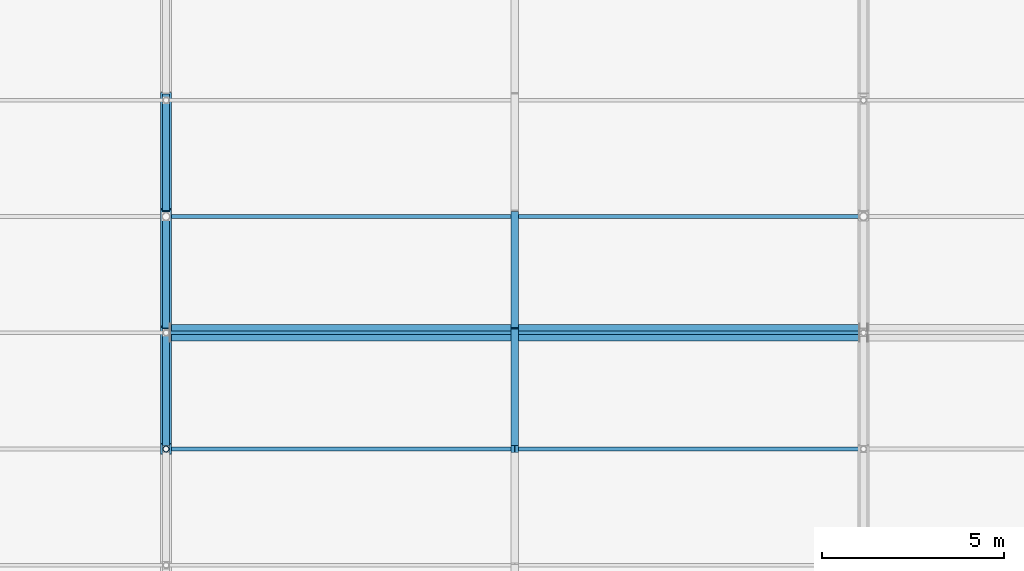
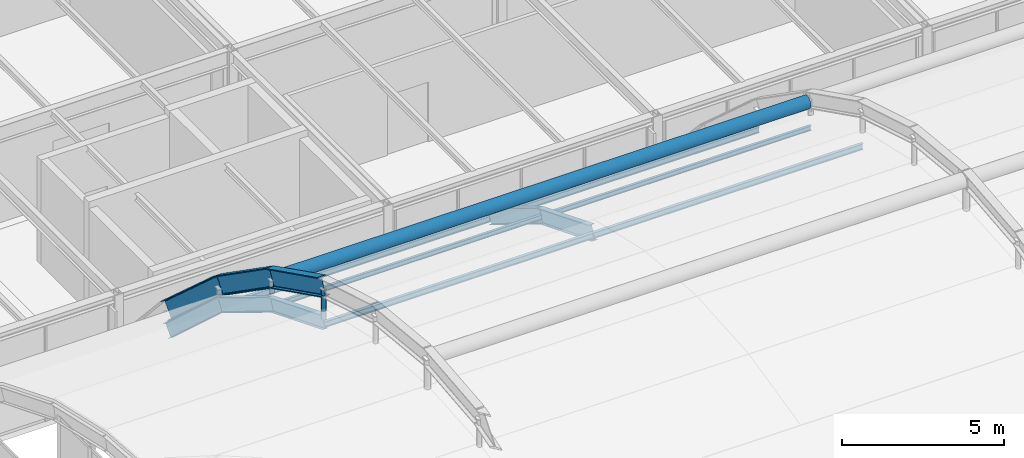
# One storey, part 68 of 126: 8 beams, 8 members.
"""IFC4 building model written with IfcOpenShell, lengths in metres."""

from ifc_helpers import new_model, si_unit, direction, frame, origin, origin_2d, place, context, subcontext, project, spatial, hollow_circle, i_section, extrude, material, material_profile, profile_set, type_object, element, save


model = new_model("IFC4")

# Units and contexts
model_context = context("Model", 3, precision=1e-05, world=origin(), true_north=direction((0.0, 1.0)))
body_context = subcontext(model_context, "Body", "Model", "MODEL_VIEW")
ifc_project = project(units=[si_unit("LENGTHUNIT", "METRE"), si_unit("AREAUNIT", "SQUARE_METRE"), si_unit("VOLUMEUNIT", "CUBIC_METRE"), si_unit("PLANEANGLEUNIT", "RADIAN"), si_unit("MASSUNIT", "GRAM", prefix="KILO")], contexts=[model_context])

# Site, building, storey
site_placement = place(None, origin())
site = spatial("IfcSite", under=ifc_project, at=site_placement, CompositionType="ELEMENT")
building_placement = place(site_placement, origin())
building = spatial("IfcBuilding", under=site, at=building_placement, Name="Coralgate Yard Interchange", CompositionType="ELEMENT")
storey_placement = place(building_placement, frame((0.0, 0.0, 10.5)))
storey = spatial("IfcBuildingStorey", under=building, at=storey_placement, Name="L02", CompositionType="ELEMENT", Elevation=10.5)

# Beams
ifc_material_1 = material(Name="Yellow-ochre weather-coated structural steel S355J2", Category="steel")
ifc_material_profile_1 = material_profile(ifc_material_1, i_section(OverallWidth=0.300048828125, OverallDepth=0.64990234375, WebThickness=0.01611328125, FlangeThickness=0.031005859375, FilletRadius=0.027099609375, at=origin_2d()), Name="HEB 650")
ifc_profile_set_1 = profile_set([ifc_material_profile_1], Name="Yellow-ochre weather-coated structural steel S355J2")
beam_type_1 = type_object("IfcBeamType", Name="BM-AR-1", PredefinedType="BEAM", material=ifc_profile_set_1)
beam_1_placement = place(storey_placement, frame((48.0, 64.0, 11.922119140625), z_axis=(0.0, 0.894740986573, -0.446585453129), x_axis=(-1.0, 0.0, 0.0)))
element("IfcBeam", 1, at=beam_1_placement, inside=storey, type_object=beam_type_1, Name="Yellow-ochre overarching steel arch AR-1 chord 10", PredefinedType="BEAM", context=body_context, shape_type="SweptSolid", body=[
    extrude(i_section(OverallWidth=0.300048828125, OverallDepth=0.64990234375, WebThickness=0.01611328125, FlangeThickness=0.031005859375, FilletRadius=0.027099609375, at=origin_2d()), origin(), (0.0, 0.0, 1.0), 3.576416015625),
])
beam_2_placement = place(storey_placement, frame((48.0, 67.199951171875, 10.324951171875), z_axis=(0.0, 0.819698802508, -0.572794791498), x_axis=(-1.0, 0.0, 0.0)))
element("IfcBeam", 2, at=beam_2_placement, inside=storey, type_object=beam_type_1, Name="Yellow-ochre overarching steel arch AR-1 chord 11", PredefinedType="BEAM", context=body_context, shape_type="SweptSolid", body=[
    extrude(i_section(OverallWidth=0.300048828125, OverallDepth=0.64990234375, WebThickness=0.01611328125, FlangeThickness=0.031005859375, FilletRadius=0.027099609375, at=origin_2d()), origin(), (0.0, 0.0, 1.0), 3.90380859375),
])
beam_3_placement = place(storey_placement, frame((48.0, 70.39990234375, 8.0888671875), z_axis=(0.0, 0.743892086075, -0.668299756303), x_axis=(-1.0, 0.0, 0.0)))
element("IfcBeam", 3, at=beam_3_placement, inside=storey, type_object=beam_type_1, Name="Yellow-ochre overarching steel arch AR-1 chord 12", PredefinedType="BEAM", context=body_context, shape_type="SweptSolid", body=[
    extrude(i_section(OverallWidth=0.300048828125, OverallDepth=0.64990234375, WebThickness=0.01611328125, FlangeThickness=0.031005859375, FilletRadius=0.027099609375, at=origin_2d()), origin(), (0.0, 0.0, 1.0), 4.302001953125),
])
ifc_material_2 = material(Name="Weather-coated structural steel S355J2", Category="steel")
ifc_material_profile_2 = material_profile(ifc_material_2, i_section(OverallWidth=0.209228515625, OverallDepth=0.533203125, WebThickness=0.010009765625, FlangeThickness=0.015625, FilletRadius=0.0126953125, at=origin_2d()), Name="UB 533x210x92")
ifc_profile_set_2 = profile_set([ifc_material_profile_2], Name="Weather-coated structural steel S355J2")
beam_type_2 = type_object("IfcBeamType", Name="BM-VR-1", PredefinedType="BEAM", material=ifc_profile_set_2)
beam_4_placement = place(storey_placement, frame((57.60009765625, 64.0, 10.58349609375), z_axis=(0.0, 0.927713244188, -0.373293633161), x_axis=(-1.0, 0.0, 0.0)))
element("IfcBeam", 4, at=beam_4_placement, inside=storey, type_object=beam_type_2, Name="Barrel-vault gridshell rib 3 seg 9", PredefinedType="BEAM", context=body_context, shape_type="SweptSolid", body=[
    extrude(i_section(OverallWidth=0.209228515625, OverallDepth=0.533203125, WebThickness=0.010009765625, FlangeThickness=0.015625, FilletRadius=0.0126953125, at=origin_2d()), origin(), (0.0, 0.0, 1.0), 3.44921875),
])
beam_5_placement = place(storey_placement, frame((57.60009765625, 67.199951171875, 9.2958984375), z_axis=(0.0, 0.852378727212, -0.522924951973), x_axis=(-1.0, 0.0, 0.0)))
element("IfcBeam", 5, at=beam_5_placement, inside=storey, type_object=beam_type_2, Name="Barrel-vault gridshell rib 3 seg 10", PredefinedType="BEAM", context=body_context, shape_type="SweptSolid", body=[
    extrude(i_section(OverallWidth=0.209228515625, OverallDepth=0.533203125, WebThickness=0.010009765625, FlangeThickness=0.015625, FilletRadius=0.0126953125, at=origin_2d()), origin(), (0.0, 0.0, 1.0), 3.754150390625),
])
ifc_material_profile_3 = material_profile(ifc_material_2, i_section(OverallWidth=0.199951171875, OverallDepth=0.5, WebThickness=0.01025390625, FlangeThickness=0.01611328125, FilletRadius=0.02099609375, at=origin_2d()), Name="IPE 500")
ifc_profile_set_3 = profile_set([ifc_material_profile_3], Name="Weather-coated structural steel S355J2")
beam_type_3 = type_object("IfcBeamType", Name="BM-VR-2", PredefinedType="BEAM", material=ifc_profile_set_3)
beam_6_placement = place(storey_placement, frame((48.0, 64.0, 10.60009765625), z_axis=(0.0, 0.927713244188, -0.373293633161), x_axis=(-1.0, 0.0, 0.0)))
element("IfcBeam", 6, at=beam_6_placement, inside=storey, type_object=beam_type_3, Name="Barrel-vault gridshell rib 2 seg 9", PredefinedType="BEAM", context=body_context, shape_type="SweptSolid", body=[
    extrude(i_section(OverallWidth=0.199951171875, OverallDepth=0.5, WebThickness=0.01025390625, FlangeThickness=0.01611328125, FilletRadius=0.02099609375, at=origin_2d()), origin(), (0.0, 0.0, 1.0), 3.44921875),
])
beam_7_placement = place(storey_placement, frame((48.0, 67.199951171875, 9.3125), z_axis=(0.0, 0.852378727212, -0.522924951973), x_axis=(-1.0, 0.0, 0.0)))
element("IfcBeam", 7, at=beam_7_placement, inside=storey, type_object=beam_type_3, Name="Barrel-vault gridshell rib 2 seg 10", PredefinedType="BEAM", context=body_context, shape_type="SweptSolid", body=[
    extrude(i_section(OverallWidth=0.199951171875, OverallDepth=0.5, WebThickness=0.01025390625, FlangeThickness=0.01611328125, FilletRadius=0.02099609375, at=origin_2d()), origin(), (0.0, 0.0, 1.0), 3.754150390625),
])
beam_8_placement = place(storey_placement, frame((48.0, 70.39990234375, 7.349365234375), z_axis=(0.0, 0.739500841068, -0.673155632867), x_axis=(-1.0, 0.0, 0.0)))
element("IfcBeam", 8, at=beam_8_placement, inside=storey, type_object=beam_type_3, Name="Barrel-vault gridshell rib 2 seg 11", PredefinedType="BEAM", context=body_context, shape_type="SweptSolid", body=[
    extrude(i_section(OverallWidth=0.199951171875, OverallDepth=0.5, WebThickness=0.01025390625, FlangeThickness=0.01611328125, FilletRadius=0.02099609375, at=origin_2d()), origin(), (0.0, 0.0, 1.0), 4.327392578125),
])

# Members
ifc_material_profile_4 = material_profile(ifc_material_1, hollow_circle(Radius=0.228515625, WallThickness=0.01611328125, at=origin_2d()), Name="CHS 457x16")
ifc_profile_set_4 = profile_set([ifc_material_profile_4], Name="Yellow-ochre weather-coated structural steel S355J2")
member_type_1 = type_object("IfcMemberType", Name="MB-GC-7", PredefinedType="CHORD", material=ifc_profile_set_4)
member_1_placement = place(storey_placement, frame((48.1201171875, 67.199951171875, 10.25), z_axis=(1.0, 0.0, 0.0), x_axis=(0.0, 1.0, 0.0)))
element("IfcMember", 9, at=member_1_placement, inside=storey, type_object=member_type_1, Name="Arch longitudinal tie strut 1-N", PredefinedType="CHORD", context=body_context, shape_type="SweptSolid", body=[
    extrude(hollow_circle(Radius=0.228515625, WallThickness=0.01611328125, at=origin_2d()), origin(), (0.0, 0.0, 1.0), 18.9599609375),
])
ifc_material_profile_5 = material_profile(ifc_material_1, hollow_circle(Radius=0.084228515625, WallThickness=0.008056640625, at=origin_2d()), Name="CHS 168.3x8")
ifc_profile_set_5 = profile_set([ifc_material_profile_5], Name="Yellow-ochre weather-coated structural steel S355J2")
member_type_2 = type_object("IfcMemberType", Name="MB-HG-2", PredefinedType="STRUT", material=ifc_profile_set_5)
member_2_placement = place(storey_placement, frame((48.0, 64.0, 10.7001953125), z_axis=(0.0, 0.0, 1.0), x_axis=(1.0, 0.0, 0.0)))
element("IfcMember", 10, at=member_2_placement, inside=storey, type_object=member_type_2, Name="Arch AR-1 steel suspension hanger 8", PredefinedType="STRUT", context=body_context, shape_type="SweptSolid", body=[
    extrude(hollow_circle(Radius=0.084228515625, WallThickness=0.008056640625, at=origin_2d()), origin(), (0.0, 0.0, 1.0), 1.1220703125),
])
ifc_material_profile_6 = material_profile(ifc_material_2, i_section(OverallWidth=0.110107421875, OverallDepth=0.219970703125, WebThickness=0.005859375, FlangeThickness=0.00927734375, FilletRadius=0.011962890625, at=origin_2d()), Name="IPE 220")
ifc_profile_set_6 = profile_set([ifc_material_profile_6], Name="Weather-coated structural steel S355J2")
member_type_3 = type_object("IfcMemberType", Name="MB-PR-1", PredefinedType="PURLIN", material=ifc_profile_set_6)
for number, where, z_axis, x_axis, name in (
    (11, (48.001953125, 64.0, 10.489990234375), (1.0, 0.0, 0.0), (0.0, 1.0, 0.0), "Barrel-vault gridshell purlin 2-9"),
    (12, (48.001953125, 70.39990234375, 7.2392578125), (1.0, 0.0, 0.0), (0.0, 1.0, 0.0), "Barrel-vault gridshell purlin 2-11"),
    (13, (57.60205078125, 64.0, 10.489990234375), (1.0, 0.0, 0.0), (0.0, 1.0, 0.0), "Barrel-vault gridshell purlin 3-9"),
    (14, (57.60205078125, 70.39990234375, 7.2392578125), (1.0, 0.0, 0.0), (0.0, 1.0, 0.0), "Barrel-vault gridshell purlin 3-11"),
):
    element("IfcMember", number, at=place(storey_placement, frame(where, z_axis=z_axis, x_axis=x_axis)), inside=storey, type_object=member_type_3, Name=name, PredefinedType="PURLIN", context=body_context, shape_type="SweptSolid", body=[
        extrude(i_section(OverallWidth=0.110107421875, OverallDepth=0.219970703125, WebThickness=0.005859375, FlangeThickness=0.00927734375, FilletRadius=0.011962890625, at=origin_2d()), origin(), (0.0, 0.0, 1.0), 9.595947265625),
    ])
ifc_material_3 = material(Name="Off-white architectural structural steel S355J2", Category="steel")
ifc_material_profile_7 = material_profile(ifc_material_3, i_section(OverallWidth=0.091064453125, OverallDepth=0.179931640625, WebThickness=0.00537109375, FlangeThickness=0.008056640625, FilletRadius=0.009033203125, at=origin_2d()), Name="IPE 180")
ifc_profile_set_7 = profile_set([ifc_material_profile_7], Name="Off-white architectural structural steel S355J2")
member_type_4 = type_object("IfcMemberType", Name="MB-PR-2", PredefinedType="PURLIN", material=ifc_profile_set_7)
for number, where, z_axis, x_axis, name in (
    (15, (48.001953125, 67.199951171875, 9.242431640625), (1.0, 0.0, 0.0), (0.0, 1.0, 0.0), "Barrel-vault gridshell purlin 2-10"),
    (16, (57.60205078125, 67.199951171875, 9.242431640625), (1.0, 0.0, 0.0), (0.0, 1.0, 0.0), "Barrel-vault gridshell purlin 3-10"),
):
    element("IfcMember", number, at=place(storey_placement, frame(where, z_axis=z_axis, x_axis=x_axis)), inside=storey, type_object=member_type_4, Name=name, PredefinedType="PURLIN", context=body_context, shape_type="SweptSolid", body=[
        extrude(i_section(OverallWidth=0.091064453125, OverallDepth=0.179931640625, WebThickness=0.00537109375, FlangeThickness=0.008056640625, FilletRadius=0.009033203125, at=origin_2d()), origin(), (0.0, 0.0, 1.0), 9.595947265625),
    ])

save(model, "model.ifc")
